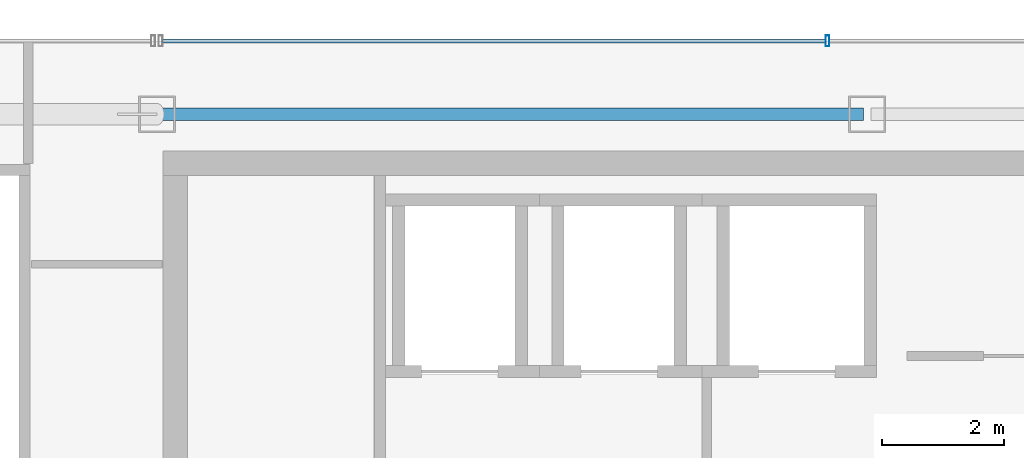
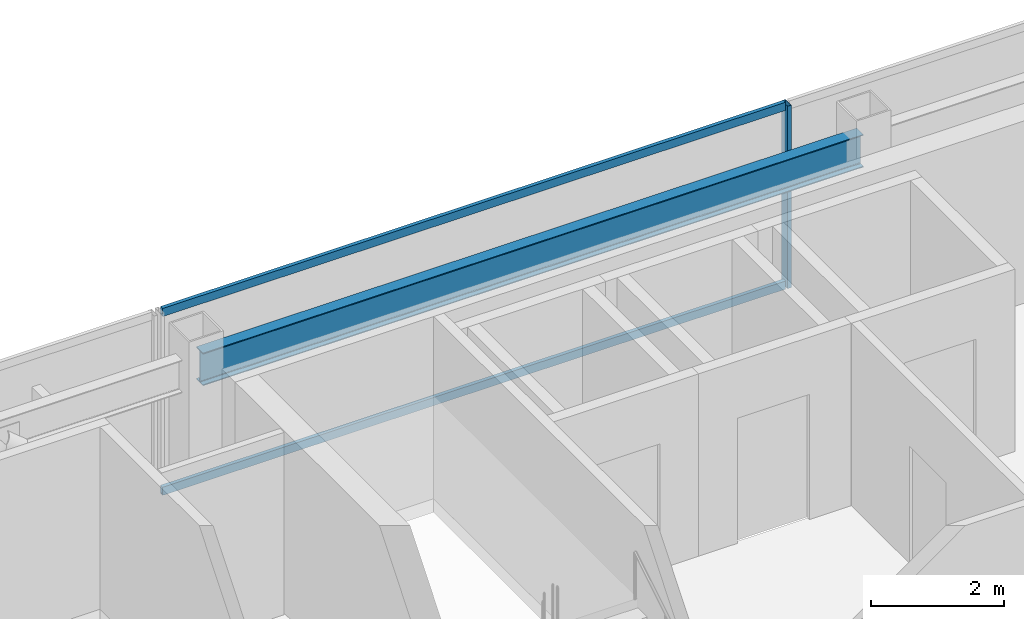
# One storey, part 19 of 30: 3 members, 1 beam, 1 element without a shape of its own.
"""IFC4 building model written with IfcOpenShell, lengths in metres."""

from ifc_helpers import new_model, si_unit, direction, frame, origin, origin_2d, place, context, subcontext, project, spatial, hollow_rectangle, i_section, extrude, material, material_profile, profile_set, type_object, element, aggregate, save


model = new_model("IFC4")

# Units and contexts
model_context = context("Model", 3, precision=1e-05, world=origin(), true_north=direction((0.0, 1.0)))
body_context = subcontext(model_context, "Body", "Model", "MODEL_VIEW")
ifc_project = project(units=[si_unit("LENGTHUNIT", "METRE"), si_unit("AREAUNIT", "SQUARE_METRE"), si_unit("VOLUMEUNIT", "CUBIC_METRE"), si_unit("PLANEANGLEUNIT", "RADIAN"), si_unit("MASSUNIT", "GRAM", prefix="KILO")], contexts=[model_context])

# Site, building, storey
site_placement = place(None, origin())
site = spatial("IfcSite", under=ifc_project, at=site_placement, CompositionType="ELEMENT")
building_placement = place(site_placement, origin())
building = spatial("IfcBuilding", under=site, at=building_placement, Name="Saevonmaru Cultural Tower", CompositionType="ELEMENT")
storey_placement = place(building_placement, frame((0.0, 0.0, 272.39990234375)))
storey = spatial("IfcBuildingStorey", under=building, at=storey_placement, Name="L64", CompositionType="ELEMENT", Elevation=272.39990234375)

# Beam
ifc_material_1 = material(Name="Steel SM355", Category="steel")
ifc_material_profile_1 = material_profile(ifc_material_1, i_section(OverallWidth=0.199951171875, OverallDepth=0.60009765625, WebThickness=0.010986328125, FlangeThickness=0.01708984375, FilletRadius=0.02197265625, at=origin_2d()), Name="H-600x200x11x17")
ifc_profile_set_1 = profile_set([ifc_material_profile_1], Name="Steel SM355")
beam_type = type_object("IfcBeamType", Name="BM-SP-H600", PredefinedType="SPANDREL", material=ifc_profile_set_1)
beam_placement = place(storey_placement, frame((13.659912109375, 54.800048828125, 3.050048828125), z_axis=(1.0, 0.0, 0.0), x_axis=(0.0, 1.0, 0.0)))
element("IfcBeam", 1, at=beam_placement, inside=storey, type_object=beam_type, Name="L64 North Spine Girder 2", PredefinedType="SPANDREL", context=body_context, shape_type="SweptSolid", body=[
    extrude(i_section(OverallWidth=0.199951171875, OverallDepth=0.60009765625, WebThickness=0.010986328125, FlangeThickness=0.01708984375, FilletRadius=0.02197265625, at=origin_2d()), origin(), (0.0, 0.0, 1.0), 11.47998046875),
])

# Curtain wall, members
ifc_material_2 = material(Name="Satin Bronze Anodised Aluminium", Category="aluminium")
curtain_wall_type = type_object("IfcCurtainWallType", Name="CW-TYP-B", PredefinedType="NOTDEFINED", material=ifc_material_2)
curtain_wall_placement = place(storey_placement, origin())
curtain_wall = element("IfcCurtainWall", 2, at=curtain_wall_placement, inside=storey, type_object=curtain_wall_type, Name="L64 North Spine Unitised Curtain Wall E10B", PredefinedType="NOTDEFINED")
ifc_material_profile_2 = material_profile(ifc_material_2, hollow_rectangle(XDim=0.06494140625, YDim=0.179931640625, WallThickness=0.00390625, at=origin_2d()), Name="ALU-MULL-180x65x4")
ifc_profile_set_2 = profile_set([ifc_material_profile_2], Name="Satin Bronze Anodised Aluminium")
member_type_1 = type_object("IfcMemberType", Name="ML-CW-180x65", PredefinedType="MULLION", material=ifc_profile_set_2)
member_1_placement = place(storey_placement, frame((24.55322265625, 56.0, 0.0), z_axis=(0.0, 0.0, 1.0), x_axis=(-1.0, 0.0, 0.0)))
member_1 = element("IfcMember", 3, at=member_1_placement, type_object=member_type_1, Name="CW-TW-L64-E10B mullion 3", PredefinedType="MULLION", context=body_context, shape_type="SweptSolid", body=[
    extrude(hollow_rectangle(XDim=0.06494140625, YDim=0.179931640625, WallThickness=0.00390625, at=origin_2d()), origin(), (0.0, 0.0, 1.0), 3.35009765625),
])
ifc_material_profile_3 = material_profile(ifc_material_2, hollow_rectangle(XDim=0.06494140625, YDim=0.14990234375, WallThickness=0.00390625, at=origin_2d()), Name="ALU-TRAN-150x65x4")
ifc_profile_set_3 = profile_set([ifc_material_profile_3], Name="Satin Bronze Anodised Aluminium")
member_type_2 = type_object("IfcMemberType", Name="TR-CW-150x65", PredefinedType="USERDEFINED", material=ifc_profile_set_3)
member_2_placement = place(storey_placement, frame((24.520751953125, 56.0, 0.03271484375), z_axis=(-1.0, 0.0, 0.0), x_axis=(0.0, -1.0, 0.0)))
member_2 = element("IfcMember", 4, at=member_2_placement, type_object=member_type_2, Name="CW-TW-L64-E10B transom 3.1", ObjectType="TRANSOM", PredefinedType="USERDEFINED", context=body_context, shape_type="SweptSolid", body=[
    extrude(hollow_rectangle(XDim=0.06494140625, YDim=0.14990234375, WallThickness=0.00390625, at=origin_2d()), origin(), (0.0, 0.0, 1.0), 10.828369140625),
])
member_3_placement = place(storey_placement, frame((24.520751953125, 56.0, 3.317626953125), z_axis=(-1.0, 0.0, 0.0), x_axis=(0.0, -1.0, 0.0)))
member_3 = element("IfcMember", 5, at=member_3_placement, type_object=member_type_2, Name="CW-TW-L64-E10B transom 3.2", ObjectType="TRANSOM", PredefinedType="USERDEFINED", context=body_context, shape_type="SweptSolid", body=[
    extrude(hollow_rectangle(XDim=0.06494140625, YDim=0.14990234375, WallThickness=0.00390625, at=origin_2d()), origin(), (0.0, 0.0, 1.0), 10.828369140625),
])
aggregate(curtain_wall, [member_1, member_2, member_3])

save(model, "model.ifc")
